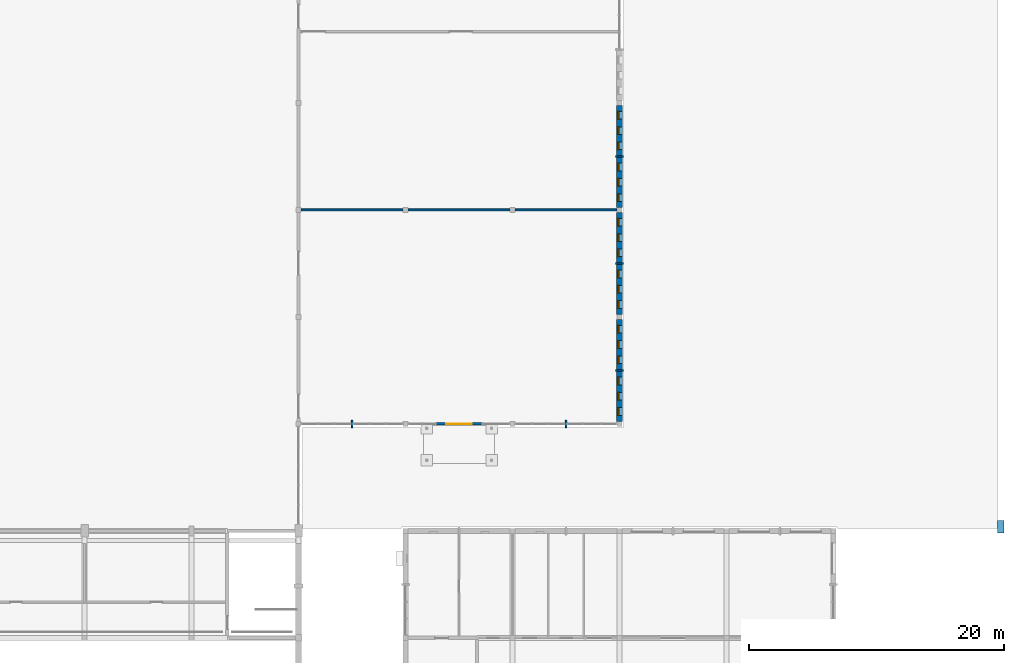
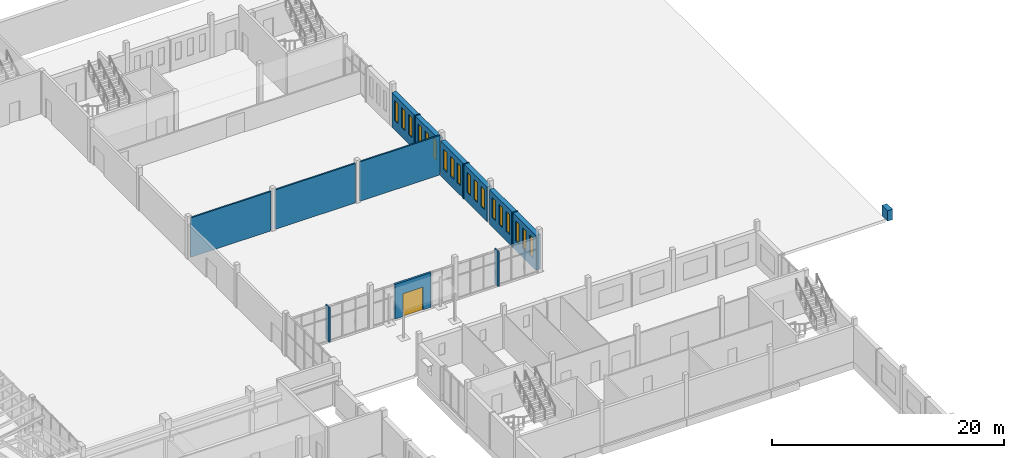
# One storey, part 47 of 60: 18 windows, 16 walls, 1 door, 19 openings.
"""IFC4 building model written with IfcOpenShell, lengths in metres."""

from ifc_helpers import new_model, si_unit, direction, frame, frame_2d, origin, place, context, subcontext, project, spatial, rectangle, extrude, material, layer, layer_set, type_object, element, fill, save


model = new_model("IFC4")

# Units and contexts
model_context = context("Model", 3, precision=1e-05, world=origin(), true_north=direction((0.0, 1.0)))
body_context = subcontext(model_context, "Body", "Model", "MODEL_VIEW")
ifc_project = project(units=[si_unit("LENGTHUNIT", "METRE"), si_unit("AREAUNIT", "SQUARE_METRE"), si_unit("VOLUMEUNIT", "CUBIC_METRE"), si_unit("PLANEANGLEUNIT", "RADIAN"), si_unit("MASSUNIT", "GRAM", prefix="KILO")], contexts=[model_context])

# Site, building, storey
site_placement = place(None, origin())
site = spatial("IfcSite", under=ifc_project, at=site_placement, CompositionType="ELEMENT")
building_placement = place(site_placement, origin())
building = spatial("IfcBuilding", under=site, at=building_placement, Name="Fescue Hill Polytechnic", CompositionType="ELEMENT")
storey_placement = place(building_placement, frame((0.0, 0.0, 4.5)))
storey = spatial("IfcBuildingStorey", under=building, at=storey_placement, Name="L01", CompositionType="ELEMENT", Elevation=4.5)

# Wall, opening, door
ifc_material_1 = material(Name="Glass", Category="glass")
ifc_layer_1 = layer(ifc_material_1, 0.199951171875)
ifc_layer_set_1 = layer_set([ifc_layer_1], Name="Glass")
wall_type_1 = type_object("IfcWallType", Name="Entrance frame wall metal and glass 200", PredefinedType="SOLIDWALL", material=ifc_layer_set_1)
wall_1_placement = place(storey_placement, frame((128.39990234375, 58.800048828125, 0.0), z_axis=(0.0, 0.0, 1.0), x_axis=(1.0, 0.0, 0.0)))
wall_1 = element("IfcWall", 1, at=wall_1_placement, inside=storey, type_object=wall_type_1, Name="EW-L01-V2-17", PredefinedType="SOLIDWALL", context=body_context, shape_type="SweptSolid", body=[
    extrude(rectangle(XDim=3.60009765625, YDim=0.199951171875, at=frame_2d((1.800048828125, 0.0))), origin(), (0.0, 0.0, 1.0), 3.64990234375),
])
opening_1_placement = place(wall_1_placement, frame((0.800048828125, 0.0, 0.0)))
opening_1 = element("IfcOpeningElement", 2, at=opening_1_placement, cuts=wall_1, Name="Opening D1005", PredefinedType="OPENING", context=body_context, shape_type="SweptSolid", body=[
    extrude(rectangle(XDim=2.0, YDim=2.39990234375, at=frame_2d((1.0, 1.199951171875))), frame((0.0, 0.10986328125, 0.0), z_axis=(0.0, -1.0, 0.0), x_axis=(1.0, 0.0, 0.0)), (0.0, 0.0, 1.0), 0.219970703125),
])
ifc_material_2 = material(Name="Aluminium and glass", Category="aluminium")
door_type = type_object("IfcDoorType", Name="Door entrance glazed double 2000x2400", OperationType="DOUBLE_DOOR_SINGLE_SWING", PredefinedType="DOOR", material=ifc_material_2)
door_placement = place(opening_1_placement, origin())
door = element("IfcDoor", 3, at=door_placement, inside=storey, type_object=door_type, Name="Door D1005", OperationType="SINGLE_SWING_LEFT", OverallHeight=2.39990234375, OverallWidth=2.0, PredefinedType="DOOR", context=body_context, shape_type="SweptSolid", body=[
    extrude(rectangle(XDim=2.0, YDim=2.39990234375, at=frame_2d((1.0, 1.199951171875))), frame((0.0, 0.02490234375, 0.0), z_axis=(0.0, -1.0, 0.0), x_axis=(1.0, 0.0, 0.0)), (0.0, 0.0, 1.0), 0.050048828125),
])
fill(opening_1, door)

# Wall, openings, windows
ifc_material_3 = material(Name="Concrete 40 MPa", Category="concrete")
ifc_layer_2 = layer(ifc_material_3, 0.449951171875)
ifc_layer_set_2 = layer_set([ifc_layer_2], Name="Concrete 40 MPa")
wall_type_2 = type_object("IfcWallType", Name="Exterior wall board-marked concrete 450", PredefinedType="SOLIDWALL", material=ifc_layer_set_2)
wall_2_placement = place(storey_placement, frame((142.800048828125, 59.0, 0.0), z_axis=(0.0, 0.0, 1.0), x_axis=(0.0, 1.0, 0.0)))
wall_2 = element("IfcWall", 4, at=wall_2_placement, inside=storey, type_object=wall_type_2, Name="EW-L01-V2-1", PredefinedType="SOLIDWALL", context=body_context, shape_type="SweptSolid", body=[
    extrude(rectangle(XDim=3.93994140625, YDim=0.449951171875, at=frame_2d((1.969970703125, 0.0))), origin(), (0.0, 0.0, 1.0), 3.64990234375),
])
opening_2_placement = place(wall_2_placement, frame((0.469970703125, 0.0, 1.0)))
opening_2 = element("IfcOpeningElement", 5, at=opening_2_placement, cuts=wall_2, Name="Opening W6", PredefinedType="OPENING", context=body_context, shape_type="SweptSolid", body=[
    extrude(rectangle(XDim=0.60009765625, YDim=2.10009765625, at=frame_2d((0.300048828125, 1.050048828125))), frame((0.0, 0.23486328125, 0.0), z_axis=(0.0, -1.0, 0.0), x_axis=(1.0, 0.0, 0.0)), (0.0, 0.0, 1.0), 0.469970703125),
])
opening_3_placement = place(wall_2_placement, frame((1.669921875, 0.0, 1.0)))
opening_3 = element("IfcOpeningElement", 6, at=opening_3_placement, cuts=wall_2, Name="Opening W6", PredefinedType="OPENING", context=body_context, shape_type="SweptSolid", body=[
    extrude(rectangle(XDim=0.60009765625, YDim=2.10009765625, at=frame_2d((0.300048828125, 1.050048828125))), frame((0.0, 0.23486328125, 0.0), z_axis=(0.0, -1.0, 0.0), x_axis=(1.0, 0.0, 0.0)), (0.0, 0.0, 1.0), 0.469970703125),
])
opening_4_placement = place(wall_2_placement, frame((2.8701171875, 0.0, 1.0)))
opening_4 = element("IfcOpeningElement", 7, at=opening_4_placement, cuts=wall_2, Name="Opening W6", PredefinedType="OPENING", context=body_context, shape_type="SweptSolid", body=[
    extrude(rectangle(XDim=0.60009765625, YDim=2.10009765625, at=frame_2d((0.300048828125, 1.050048828125))), frame((0.0, 0.23486328125, 0.0), z_axis=(0.0, -1.0, 0.0), x_axis=(1.0, 0.0, 0.0)), (0.0, 0.0, 1.0), 0.469970703125),
])
ifc_material_4 = material(Name="Powder-coated aluminium and glass", Category="aluminium")
window_type = type_object("IfcWindowType", Name="Window slot 600x2100", PartitioningType="SINGLE_PANEL", PredefinedType="WINDOW", material=ifc_material_4)
window_1_placement = place(opening_2_placement, origin())
window_1 = element("IfcWindow", 8, at=window_1_placement, inside=storey, type_object=window_type, Name="WN-L01-V2-1", OverallHeight=2.10009765625, OverallWidth=0.60009765625, PartitioningType="SINGLE_PANEL", PredefinedType="WINDOW", context=body_context, shape_type="SweptSolid", body=[
    extrude(rectangle(XDim=0.60009765625, YDim=2.10009765625, at=frame_2d((0.300048828125, 1.050048828125))), frame((0.0, 0.135009765625, 0.0), z_axis=(0.0, -1.0, 0.0), x_axis=(1.0, 0.0, 0.0)), (0.0, 0.0, 1.0), 0.06005859375),
])
fill(opening_2, window_1)
window_2_placement = place(opening_3_placement, origin())
window_2 = element("IfcWindow", 9, at=window_2_placement, inside=storey, type_object=window_type, Name="WN-L01-V2-2", OverallHeight=2.10009765625, OverallWidth=0.60009765625, PartitioningType="SINGLE_PANEL", PredefinedType="WINDOW", context=body_context, shape_type="SweptSolid", body=[
    extrude(rectangle(XDim=0.60009765625, YDim=2.10009765625, at=frame_2d((0.300048828125, 1.050048828125))), frame((0.0, 0.135009765625, 0.0), z_axis=(0.0, -1.0, 0.0), x_axis=(1.0, 0.0, 0.0)), (0.0, 0.0, 1.0), 0.06005859375),
])
fill(opening_3, window_2)
window_3_placement = place(opening_4_placement, origin())
window_3 = element("IfcWindow", 10, at=window_3_placement, inside=storey, type_object=window_type, Name="WN-L01-V2-3", OverallHeight=2.10009765625, OverallWidth=0.60009765625, PartitioningType="SINGLE_PANEL", PredefinedType="WINDOW", context=body_context, shape_type="SweptSolid", body=[
    extrude(rectangle(XDim=0.60009765625, YDim=2.10009765625, at=frame_2d((0.300048828125, 1.050048828125))), frame((0.0, 0.135009765625, 0.0), z_axis=(0.0, -1.0, 0.0), x_axis=(1.0, 0.0, 0.0)), (0.0, 0.0, 1.0), 0.06005859375),
])
fill(opening_4, window_3)

wall_3_placement = place(storey_placement, frame((142.800048828125, 63.06005859375, 0.0), z_axis=(0.0, 0.0, 1.0), x_axis=(0.0, 1.0, 0.0)))
wall_3 = element("IfcWall", 11, at=wall_3_placement, inside=storey, type_object=wall_type_2, Name="EW-L01-V2-2", PredefinedType="SOLIDWALL", context=body_context, shape_type="SweptSolid", body=[
    extrude(rectangle(XDim=3.93994140625, YDim=0.449951171875, at=frame_2d((1.969970703125, 0.0))), origin(), (0.0, 0.0, 1.0), 3.64990234375),
])
opening_5_placement = place(wall_3_placement, frame((0.469970703125, 0.0, 1.0)))
opening_5 = element("IfcOpeningElement", 12, at=opening_5_placement, cuts=wall_3, Name="Opening W6", PredefinedType="OPENING", context=body_context, shape_type="SweptSolid", body=[
    extrude(rectangle(XDim=0.60009765625, YDim=2.10009765625, at=frame_2d((0.300048828125, 1.050048828125))), frame((0.0, 0.23486328125, 0.0), z_axis=(0.0, -1.0, 0.0), x_axis=(1.0, 0.0, 0.0)), (0.0, 0.0, 1.0), 0.469970703125),
])
opening_6_placement = place(wall_3_placement, frame((1.669921875, 0.0, 1.0)))
opening_6 = element("IfcOpeningElement", 13, at=opening_6_placement, cuts=wall_3, Name="Opening W6", PredefinedType="OPENING", context=body_context, shape_type="SweptSolid", body=[
    extrude(rectangle(XDim=0.60009765625, YDim=2.10009765625, at=frame_2d((0.300048828125, 1.050048828125))), frame((0.0, 0.23486328125, 0.0), z_axis=(0.0, -1.0, 0.0), x_axis=(1.0, 0.0, 0.0)), (0.0, 0.0, 1.0), 0.469970703125),
])
opening_7_placement = place(wall_3_placement, frame((2.8701171875, 0.0, 1.0)))
opening_7 = element("IfcOpeningElement", 14, at=opening_7_placement, cuts=wall_3, Name="Opening W6", PredefinedType="OPENING", context=body_context, shape_type="SweptSolid", body=[
    extrude(rectangle(XDim=0.60009765625, YDim=2.10009765625, at=frame_2d((0.300048828125, 1.050048828125))), frame((0.0, 0.23486328125, 0.0), z_axis=(0.0, -1.0, 0.0), x_axis=(1.0, 0.0, 0.0)), (0.0, 0.0, 1.0), 0.469970703125),
])
window_4_placement = place(opening_5_placement, origin())
window_4 = element("IfcWindow", 15, at=window_4_placement, inside=storey, type_object=window_type, Name="WN-L01-V2-4", OverallHeight=2.10009765625, OverallWidth=0.60009765625, PartitioningType="SINGLE_PANEL", PredefinedType="WINDOW", context=body_context, shape_type="SweptSolid", body=[
    extrude(rectangle(XDim=0.60009765625, YDim=2.10009765625, at=frame_2d((0.300048828125, 1.050048828125))), frame((0.0, 0.135009765625, 0.0), z_axis=(0.0, -1.0, 0.0), x_axis=(1.0, 0.0, 0.0)), (0.0, 0.0, 1.0), 0.06005859375),
])
fill(opening_5, window_4)
window_5_placement = place(opening_6_placement, origin())
window_5 = element("IfcWindow", 16, at=window_5_placement, inside=storey, type_object=window_type, Name="WN-L01-V2-5", OverallHeight=2.10009765625, OverallWidth=0.60009765625, PartitioningType="SINGLE_PANEL", PredefinedType="WINDOW", context=body_context, shape_type="SweptSolid", body=[
    extrude(rectangle(XDim=0.60009765625, YDim=2.10009765625, at=frame_2d((0.300048828125, 1.050048828125))), frame((0.0, 0.135009765625, 0.0), z_axis=(0.0, -1.0, 0.0), x_axis=(1.0, 0.0, 0.0)), (0.0, 0.0, 1.0), 0.06005859375),
])
fill(opening_6, window_5)
window_6_placement = place(opening_7_placement, origin())
window_6 = element("IfcWindow", 17, at=window_6_placement, inside=storey, type_object=window_type, Name="WN-L01-V2-6", OverallHeight=2.10009765625, OverallWidth=0.60009765625, PartitioningType="SINGLE_PANEL", PredefinedType="WINDOW", context=body_context, shape_type="SweptSolid", body=[
    extrude(rectangle(XDim=0.60009765625, YDim=2.10009765625, at=frame_2d((0.300048828125, 1.050048828125))), frame((0.0, 0.135009765625, 0.0), z_axis=(0.0, -1.0, 0.0), x_axis=(1.0, 0.0, 0.0)), (0.0, 0.0, 1.0), 0.06005859375),
])
fill(opening_7, window_6)

wall_4_placement = place(storey_placement, frame((142.800048828125, 67.39990234375, 0.0), z_axis=(0.0, 0.0, 1.0), x_axis=(0.0, 1.0, 0.0)))
wall_4 = element("IfcWall", 18, at=wall_4_placement, inside=storey, type_object=wall_type_2, Name="EW-L01-V2-3", PredefinedType="SOLIDWALL", context=body_context, shape_type="SweptSolid", body=[
    extrude(rectangle(XDim=3.940185546875, YDim=0.449951171875, at=frame_2d((1.97021484375, 0.0))), origin(), (0.0, 0.0, 1.0), 3.64990234375),
])
opening_8_placement = place(wall_4_placement, frame((0.469970703125, 0.0, 1.0)))
opening_8 = element("IfcOpeningElement", 19, at=opening_8_placement, cuts=wall_4, Name="Opening W6", PredefinedType="OPENING", context=body_context, shape_type="SweptSolid", body=[
    extrude(rectangle(XDim=0.60009765625, YDim=2.10009765625, at=frame_2d((0.300048828125, 1.050048828125))), frame((0.0, 0.23486328125, 0.0), z_axis=(0.0, -1.0, 0.0), x_axis=(1.0, 0.0, 0.0)), (0.0, 0.0, 1.0), 0.469970703125),
])
opening_9_placement = place(wall_4_placement, frame((1.669921875, 0.0, 1.0)))
opening_9 = element("IfcOpeningElement", 20, at=opening_9_placement, cuts=wall_4, Name="Opening W6", PredefinedType="OPENING", context=body_context, shape_type="SweptSolid", body=[
    extrude(rectangle(XDim=0.60009765625, YDim=2.10009765625, at=frame_2d((0.300048828125, 1.050048828125))), frame((0.0, 0.23486328125, 0.0), z_axis=(0.0, -1.0, 0.0), x_axis=(1.0, 0.0, 0.0)), (0.0, 0.0, 1.0), 0.469970703125),
])
opening_10_placement = place(wall_4_placement, frame((2.8701171875, 0.0, 1.0)))
opening_10 = element("IfcOpeningElement", 21, at=opening_10_placement, cuts=wall_4, Name="Opening W6", PredefinedType="OPENING", context=body_context, shape_type="SweptSolid", body=[
    extrude(rectangle(XDim=0.60009765625, YDim=2.10009765625, at=frame_2d((0.300048828125, 1.050048828125))), frame((0.0, 0.23486328125, 0.0), z_axis=(0.0, -1.0, 0.0), x_axis=(1.0, 0.0, 0.0)), (0.0, 0.0, 1.0), 0.469970703125),
])
window_7_placement = place(opening_8_placement, origin())
window_7 = element("IfcWindow", 22, at=window_7_placement, inside=storey, type_object=window_type, Name="WN-L01-V2-7", OverallHeight=2.10009765625, OverallWidth=0.60009765625, PartitioningType="SINGLE_PANEL", PredefinedType="WINDOW", context=body_context, shape_type="SweptSolid", body=[
    extrude(rectangle(XDim=0.60009765625, YDim=2.10009765625, at=frame_2d((0.300048828125, 1.050048828125))), frame((0.0, 0.135009765625, 0.0), z_axis=(0.0, -1.0, 0.0), x_axis=(1.0, 0.0, 0.0)), (0.0, 0.0, 1.0), 0.06005859375),
])
fill(opening_8, window_7)
window_8_placement = place(opening_9_placement, origin())
window_8 = element("IfcWindow", 23, at=window_8_placement, inside=storey, type_object=window_type, Name="WN-L01-V2-8", OverallHeight=2.10009765625, OverallWidth=0.60009765625, PartitioningType="SINGLE_PANEL", PredefinedType="WINDOW", context=body_context, shape_type="SweptSolid", body=[
    extrude(rectangle(XDim=0.60009765625, YDim=2.10009765625, at=frame_2d((0.300048828125, 1.050048828125))), frame((0.0, 0.135009765625, 0.0), z_axis=(0.0, -1.0, 0.0), x_axis=(1.0, 0.0, 0.0)), (0.0, 0.0, 1.0), 0.06005859375),
])
fill(opening_9, window_8)
window_9_placement = place(opening_10_placement, origin())
window_9 = element("IfcWindow", 24, at=window_9_placement, inside=storey, type_object=window_type, Name="WN-L01-V2-9", OverallHeight=2.10009765625, OverallWidth=0.60009765625, PartitioningType="SINGLE_PANEL", PredefinedType="WINDOW", context=body_context, shape_type="SweptSolid", body=[
    extrude(rectangle(XDim=0.60009765625, YDim=2.10009765625, at=frame_2d((0.300048828125, 1.050048828125))), frame((0.0, 0.135009765625, 0.0), z_axis=(0.0, -1.0, 0.0), x_axis=(1.0, 0.0, 0.0)), (0.0, 0.0, 1.0), 0.06005859375),
])
fill(opening_10, window_9)

wall_5_placement = place(storey_placement, frame((142.800048828125, 71.4599609375, 0.0), z_axis=(0.0, 0.0, 1.0), x_axis=(0.0, 1.0, 0.0)))
wall_5 = element("IfcWall", 25, at=wall_5_placement, inside=storey, type_object=wall_type_2, Name="EW-L01-V2-4", PredefinedType="SOLIDWALL", context=body_context, shape_type="SweptSolid", body=[
    extrude(rectangle(XDim=3.93994140625, YDim=0.449951171875, at=frame_2d((1.969970703125, 0.0))), origin(), (0.0, 0.0, 1.0), 3.64990234375),
])
opening_11_placement = place(wall_5_placement, frame((0.469970703125, 0.0, 1.0)))
opening_11 = element("IfcOpeningElement", 26, at=opening_11_placement, cuts=wall_5, Name="Opening W6", PredefinedType="OPENING", context=body_context, shape_type="SweptSolid", body=[
    extrude(rectangle(XDim=0.60009765625, YDim=2.10009765625, at=frame_2d((0.300048828125, 1.050048828125))), frame((0.0, 0.23486328125, 0.0), z_axis=(0.0, -1.0, 0.0), x_axis=(1.0, 0.0, 0.0)), (0.0, 0.0, 1.0), 0.469970703125),
])
opening_12_placement = place(wall_5_placement, frame((1.669921875, 0.0, 1.0)))
opening_12 = element("IfcOpeningElement", 27, at=opening_12_placement, cuts=wall_5, Name="Opening W6", PredefinedType="OPENING", context=body_context, shape_type="SweptSolid", body=[
    extrude(rectangle(XDim=0.60009765625, YDim=2.10009765625, at=frame_2d((0.300048828125, 1.050048828125))), frame((0.0, 0.23486328125, 0.0), z_axis=(0.0, -1.0, 0.0), x_axis=(1.0, 0.0, 0.0)), (0.0, 0.0, 1.0), 0.469970703125),
])
opening_13_placement = place(wall_5_placement, frame((2.8701171875, 0.0, 1.0)))
opening_13 = element("IfcOpeningElement", 28, at=opening_13_placement, cuts=wall_5, Name="Opening W6", PredefinedType="OPENING", context=body_context, shape_type="SweptSolid", body=[
    extrude(rectangle(XDim=0.60009765625, YDim=2.10009765625, at=frame_2d((0.300048828125, 1.050048828125))), frame((0.0, 0.23486328125, 0.0), z_axis=(0.0, -1.0, 0.0), x_axis=(1.0, 0.0, 0.0)), (0.0, 0.0, 1.0), 0.469970703125),
])
window_10_placement = place(opening_11_placement, origin())
window_10 = element("IfcWindow", 29, at=window_10_placement, inside=storey, type_object=window_type, Name="WN-L01-V2-10", OverallHeight=2.10009765625, OverallWidth=0.60009765625, PartitioningType="SINGLE_PANEL", PredefinedType="WINDOW", context=body_context, shape_type="SweptSolid", body=[
    extrude(rectangle(XDim=0.60009765625, YDim=2.10009765625, at=frame_2d((0.300048828125, 1.050048828125))), frame((0.0, 0.135009765625, 0.0), z_axis=(0.0, -1.0, 0.0), x_axis=(1.0, 0.0, 0.0)), (0.0, 0.0, 1.0), 0.06005859375),
])
fill(opening_11, window_10)
window_11_placement = place(opening_12_placement, origin())
window_11 = element("IfcWindow", 30, at=window_11_placement, inside=storey, type_object=window_type, Name="WN-L01-V2-11", OverallHeight=2.10009765625, OverallWidth=0.60009765625, PartitioningType="SINGLE_PANEL", PredefinedType="WINDOW", context=body_context, shape_type="SweptSolid", body=[
    extrude(rectangle(XDim=0.60009765625, YDim=2.10009765625, at=frame_2d((0.300048828125, 1.050048828125))), frame((0.0, 0.135009765625, 0.0), z_axis=(0.0, -1.0, 0.0), x_axis=(1.0, 0.0, 0.0)), (0.0, 0.0, 1.0), 0.06005859375),
])
fill(opening_12, window_11)
window_12_placement = place(opening_13_placement, origin())
window_12 = element("IfcWindow", 31, at=window_12_placement, inside=storey, type_object=window_type, Name="WN-L01-V2-12", OverallHeight=2.10009765625, OverallWidth=0.60009765625, PartitioningType="SINGLE_PANEL", PredefinedType="WINDOW", context=body_context, shape_type="SweptSolid", body=[
    extrude(rectangle(XDim=0.60009765625, YDim=2.10009765625, at=frame_2d((0.300048828125, 1.050048828125))), frame((0.0, 0.135009765625, 0.0), z_axis=(0.0, -1.0, 0.0), x_axis=(1.0, 0.0, 0.0)), (0.0, 0.0, 1.0), 0.06005859375),
])
fill(opening_13, window_12)

wall_6_placement = place(storey_placement, frame((142.800048828125, 75.800048828125, 0.0), z_axis=(0.0, 0.0, 1.0), x_axis=(0.0, 1.0, 0.0)))
wall_6 = element("IfcWall", 32, at=wall_6_placement, inside=storey, type_object=wall_type_2, Name="EW-L01-V2-5", PredefinedType="SOLIDWALL", context=body_context, shape_type="SweptSolid", body=[
    extrude(rectangle(XDim=3.93994140625, YDim=0.449951171875, at=frame_2d((1.969970703125, 0.0))), origin(), (0.0, 0.0, 1.0), 3.64990234375),
])
opening_14_placement = place(wall_6_placement, frame((0.469970703125, 0.0, 1.0)))
opening_14 = element("IfcOpeningElement", 33, at=opening_14_placement, cuts=wall_6, Name="Opening W6", PredefinedType="OPENING", context=body_context, shape_type="SweptSolid", body=[
    extrude(rectangle(XDim=0.60009765625, YDim=2.10009765625, at=frame_2d((0.300048828125, 1.050048828125))), frame((0.0, 0.23486328125, 0.0), z_axis=(0.0, -1.0, 0.0), x_axis=(1.0, 0.0, 0.0)), (0.0, 0.0, 1.0), 0.469970703125),
])
opening_15_placement = place(wall_6_placement, frame((1.669921875, 0.0, 1.0)))
opening_15 = element("IfcOpeningElement", 34, at=opening_15_placement, cuts=wall_6, Name="Opening W6", PredefinedType="OPENING", context=body_context, shape_type="SweptSolid", body=[
    extrude(rectangle(XDim=0.60009765625, YDim=2.10009765625, at=frame_2d((0.300048828125, 1.050048828125))), frame((0.0, 0.23486328125, 0.0), z_axis=(0.0, -1.0, 0.0), x_axis=(1.0, 0.0, 0.0)), (0.0, 0.0, 1.0), 0.469970703125),
])
opening_16_placement = place(wall_6_placement, frame((2.8701171875, 0.0, 1.0)))
opening_16 = element("IfcOpeningElement", 35, at=opening_16_placement, cuts=wall_6, Name="Opening W6", PredefinedType="OPENING", context=body_context, shape_type="SweptSolid", body=[
    extrude(rectangle(XDim=0.60009765625, YDim=2.10009765625, at=frame_2d((0.300048828125, 1.050048828125))), frame((0.0, 0.23486328125, 0.0), z_axis=(0.0, -1.0, 0.0), x_axis=(1.0, 0.0, 0.0)), (0.0, 0.0, 1.0), 0.469970703125),
])
window_13_placement = place(opening_14_placement, origin())
window_13 = element("IfcWindow", 36, at=window_13_placement, inside=storey, type_object=window_type, Name="WN-L01-V2-13", OverallHeight=2.10009765625, OverallWidth=0.60009765625, PartitioningType="SINGLE_PANEL", PredefinedType="WINDOW", context=body_context, shape_type="SweptSolid", body=[
    extrude(rectangle(XDim=0.60009765625, YDim=2.10009765625, at=frame_2d((0.300048828125, 1.050048828125))), frame((0.0, 0.135009765625, 0.0), z_axis=(0.0, -1.0, 0.0), x_axis=(1.0, 0.0, 0.0)), (0.0, 0.0, 1.0), 0.06005859375),
])
fill(opening_14, window_13)
window_14_placement = place(opening_15_placement, origin())
window_14 = element("IfcWindow", 37, at=window_14_placement, inside=storey, type_object=window_type, Name="WN-L01-V2-14", OverallHeight=2.10009765625, OverallWidth=0.60009765625, PartitioningType="SINGLE_PANEL", PredefinedType="WINDOW", context=body_context, shape_type="SweptSolid", body=[
    extrude(rectangle(XDim=0.60009765625, YDim=2.10009765625, at=frame_2d((0.300048828125, 1.050048828125))), frame((0.0, 0.135009765625, 0.0), z_axis=(0.0, -1.0, 0.0), x_axis=(1.0, 0.0, 0.0)), (0.0, 0.0, 1.0), 0.06005859375),
])
fill(opening_15, window_14)
window_15_placement = place(opening_16_placement, origin())
window_15 = element("IfcWindow", 38, at=window_15_placement, inside=storey, type_object=window_type, Name="WN-L01-V2-15", OverallHeight=2.10009765625, OverallWidth=0.60009765625, PartitioningType="SINGLE_PANEL", PredefinedType="WINDOW", context=body_context, shape_type="SweptSolid", body=[
    extrude(rectangle(XDim=0.60009765625, YDim=2.10009765625, at=frame_2d((0.300048828125, 1.050048828125))), frame((0.0, 0.135009765625, 0.0), z_axis=(0.0, -1.0, 0.0), x_axis=(1.0, 0.0, 0.0)), (0.0, 0.0, 1.0), 0.06005859375),
])
fill(opening_16, window_15)

wall_7_placement = place(storey_placement, frame((142.800048828125, 79.860107421875, 0.0), z_axis=(0.0, 0.0, 1.0), x_axis=(0.0, 1.0, 0.0)))
wall_7 = element("IfcWall", 39, at=wall_7_placement, inside=storey, type_object=wall_type_2, Name="EW-L01-V2-6", PredefinedType="SOLIDWALL", context=body_context, shape_type="SweptSolid", body=[
    extrude(rectangle(XDim=3.93994140625, YDim=0.449951171875, at=frame_2d((1.969970703125, 0.0))), origin(), (0.0, 0.0, 1.0), 3.64990234375),
])
opening_17_placement = place(wall_7_placement, frame((0.469970703125, 0.0, 1.0)))
opening_17 = element("IfcOpeningElement", 40, at=opening_17_placement, cuts=wall_7, Name="Opening W6", PredefinedType="OPENING", context=body_context, shape_type="SweptSolid", body=[
    extrude(rectangle(XDim=0.60009765625, YDim=2.10009765625, at=frame_2d((0.300048828125, 1.050048828125))), frame((0.0, 0.23486328125, 0.0), z_axis=(0.0, -1.0, 0.0), x_axis=(1.0, 0.0, 0.0)), (0.0, 0.0, 1.0), 0.469970703125),
])
opening_18_placement = place(wall_7_placement, frame((1.669921875, 0.0, 1.0)))
opening_18 = element("IfcOpeningElement", 41, at=opening_18_placement, cuts=wall_7, Name="Opening W6", PredefinedType="OPENING", context=body_context, shape_type="SweptSolid", body=[
    extrude(rectangle(XDim=0.60009765625, YDim=2.10009765625, at=frame_2d((0.300048828125, 1.050048828125))), frame((0.0, 0.23486328125, 0.0), z_axis=(0.0, -1.0, 0.0), x_axis=(1.0, 0.0, 0.0)), (0.0, 0.0, 1.0), 0.469970703125),
])
opening_19_placement = place(wall_7_placement, frame((2.8701171875, 0.0, 1.0)))
opening_19 = element("IfcOpeningElement", 42, at=opening_19_placement, cuts=wall_7, Name="Opening W6", PredefinedType="OPENING", context=body_context, shape_type="SweptSolid", body=[
    extrude(rectangle(XDim=0.60009765625, YDim=2.10009765625, at=frame_2d((0.300048828125, 1.050048828125))), frame((0.0, 0.23486328125, 0.0), z_axis=(0.0, -1.0, 0.0), x_axis=(1.0, 0.0, 0.0)), (0.0, 0.0, 1.0), 0.469970703125),
])
window_16_placement = place(opening_17_placement, origin())
window_16 = element("IfcWindow", 43, at=window_16_placement, inside=storey, type_object=window_type, Name="WN-L01-V2-16", OverallHeight=2.10009765625, OverallWidth=0.60009765625, PartitioningType="SINGLE_PANEL", PredefinedType="WINDOW", context=body_context, shape_type="SweptSolid", body=[
    extrude(rectangle(XDim=0.60009765625, YDim=2.10009765625, at=frame_2d((0.300048828125, 1.050048828125))), frame((0.0, 0.135009765625, 0.0), z_axis=(0.0, -1.0, 0.0), x_axis=(1.0, 0.0, 0.0)), (0.0, 0.0, 1.0), 0.06005859375),
])
fill(opening_17, window_16)
window_17_placement = place(opening_18_placement, origin())
window_17 = element("IfcWindow", 44, at=window_17_placement, inside=storey, type_object=window_type, Name="WN-L01-V2-17", OverallHeight=2.10009765625, OverallWidth=0.60009765625, PartitioningType="SINGLE_PANEL", PredefinedType="WINDOW", context=body_context, shape_type="SweptSolid", body=[
    extrude(rectangle(XDim=0.60009765625, YDim=2.10009765625, at=frame_2d((0.300048828125, 1.050048828125))), frame((0.0, 0.135009765625, 0.0), z_axis=(0.0, -1.0, 0.0), x_axis=(1.0, 0.0, 0.0)), (0.0, 0.0, 1.0), 0.06005859375),
])
fill(opening_18, window_17)
window_18_placement = place(opening_19_placement, origin())
window_18 = element("IfcWindow", 45, at=window_18_placement, inside=storey, type_object=window_type, Name="WN-L01-V2-18", OverallHeight=2.10009765625, OverallWidth=0.60009765625, PartitioningType="SINGLE_PANEL", PredefinedType="WINDOW", context=body_context, shape_type="SweptSolid", body=[
    extrude(rectangle(XDim=0.60009765625, YDim=2.10009765625, at=frame_2d((0.300048828125, 1.050048828125))), frame((0.0, 0.135009765625, 0.0), z_axis=(0.0, -1.0, 0.0), x_axis=(1.0, 0.0, 0.0)), (0.0, 0.0, 1.0), 0.06005859375),
])
fill(opening_19, window_18)

# Walls
ifc_material_5 = material(Name="Gypsum board partition")
ifc_layer_3 = layer(ifc_material_5, 0.14990234375)
ifc_layer_set_3 = layer_set([ifc_layer_3], Name="Gypsum board partition")
wall_type_3 = type_object("IfcWallType", Name="Partition stud 150 acoustic", PredefinedType="PARTITIONING", material=ifc_layer_set_3)
for number, where, z_axis, x_axis, name in (
    (46, (117.800048828125, 75.60009765625, 0.0), (0.0, 0.0, 1.0), (1.0, 0.0, 0.0), "IW-L01-047"),
    (47, (126.199951171875, 75.60009765625, 0.0), (0.0, 0.0, 1.0), (1.0, 0.0, 0.0), "IW-L01-048"),
    (48, (134.60009765625, 75.60009765625, 0.0), (0.0, 0.0, 1.0), (1.0, 0.0, 0.0), "IW-L01-049"),
):
    element("IfcWall", number, at=place(storey_placement, frame(where, z_axis=z_axis, x_axis=x_axis)), inside=storey, type_object=wall_type_3, Name=name, PredefinedType="PARTITIONING", context=body_context, shape_type="SweptSolid", body=[
        extrude(rectangle(XDim=8.0, YDim=0.14990234375, at=frame_2d((4.0, 0.0))), origin(), (0.0, 0.0, 1.0), 4.14990234375),
    ])
ifc_material_6 = material(Name="Concrete 35 MPa", Category="concrete")
ifc_layer_4 = layer(ifc_material_6, 0.5)
ifc_layer_set_4 = layer_set([ifc_layer_4], Name="Concrete 35 MPa")
wall_type_4 = type_object("IfcWallType", Name="Retaining wall 500", PredefinedType="SOLIDWALL", material=ifc_layer_set_4)
wall_8_placement = place(storey_placement, frame((172.742919921875, 50.22509765625, 0.0), z_axis=(0.0, 0.0, 1.0), x_axis=(0.0, 1.0, 0.0)))
element("IfcWall", 49, at=wall_8_placement, inside=storey, type_object=wall_type_4, Name="RT-PW20", PredefinedType="SOLIDWALL", context=body_context, shape_type="SweptSolid", body=[
    extrude(rectangle(XDim=0.974853515625, YDim=0.5, at=frame_2d((0.4873046875, 0.0))), origin(), (0.0, 0.0, 1.0), 1.10009765625),
])
ifc_material_7 = material(Name="Glulam 24f-EX", Category="wood")
ifc_layer_5 = layer(ifc_material_7, 0.60009765625)
ifc_layer_set_5 = layer_set([ifc_layer_5], Name="Glulam 24f-EX")
wall_type_5 = type_object("IfcWallType", Name="Timber fin 120x600", PredefinedType="SOLIDWALL", material=ifc_layer_set_5)
wall_9_placement = place(storey_placement, frame((142.800048828125, 62.93994140625, 0.0), z_axis=(0.0, 0.0, 1.0), x_axis=(0.0, 1.0, 0.0)))
element("IfcWall", 50, at=wall_9_placement, inside=storey, type_object=wall_type_5, Name="PR-L01-V2-1", PredefinedType="SOLIDWALL", context=body_context, shape_type="SweptSolid", body=[
    extrude(rectangle(XDim=0.1201171875, YDim=0.60009765625, at=frame_2d((0.06005859375, 0.0))), origin(), (0.0, 0.0, 1.0), 3.64990234375),
])
wall_10_placement = place(storey_placement, frame((142.800048828125, 71.340087890625, 0.0), z_axis=(0.0, 0.0, 1.0), x_axis=(0.0, 1.0, 0.0)))
element("IfcWall", 51, at=wall_10_placement, inside=storey, type_object=wall_type_5, Name="PR-L01-V2-2", PredefinedType="SOLIDWALL", context=body_context, shape_type="SweptSolid", body=[
    extrude(rectangle(XDim=0.119873046875, YDim=0.60009765625, at=frame_2d((0.06005859375, 0.0))), origin(), (0.0, 0.0, 1.0), 3.64990234375),
])
for number, where, z_axis, x_axis, name in (
    (52, (142.800048828125, 79.739990234375, 0.0), (0.0, 0.0, 1.0), (0.0, 1.0, 0.0), "PR-L01-V2-3"),
    (53, (121.739990234375, 58.800048828125, 0.0), (0.0, 0.0, 1.0), (1.0, 0.0, 0.0), "PR-L01-V2-9"),
):
    element("IfcWall", number, at=place(storey_placement, frame(where, z_axis=z_axis, x_axis=x_axis)), inside=storey, type_object=wall_type_5, Name=name, PredefinedType="SOLIDWALL", context=body_context, shape_type="SweptSolid", body=[
        extrude(rectangle(XDim=0.1201171875, YDim=0.60009765625, at=frame_2d((0.06005859375, 0.0))), origin(), (0.0, 0.0, 1.0), 3.64990234375),
    ])
wall_11_placement = place(storey_placement, frame((138.5400390625, 58.800048828125, 0.0), z_axis=(0.0, 0.0, 1.0), x_axis=(1.0, 0.0, 0.0)))
element("IfcWall", 54, at=wall_11_placement, inside=storey, type_object=wall_type_5, Name="PR-L01-V2-10", PredefinedType="SOLIDWALL", context=body_context, shape_type="SweptSolid", body=[
    extrude(rectangle(XDim=0.119873046875, YDim=0.60009765625, at=frame_2d((0.06005859375, 0.0))), origin(), (0.0, 0.0, 1.0), 3.64990234375),
])

save(model, "model.ifc")
